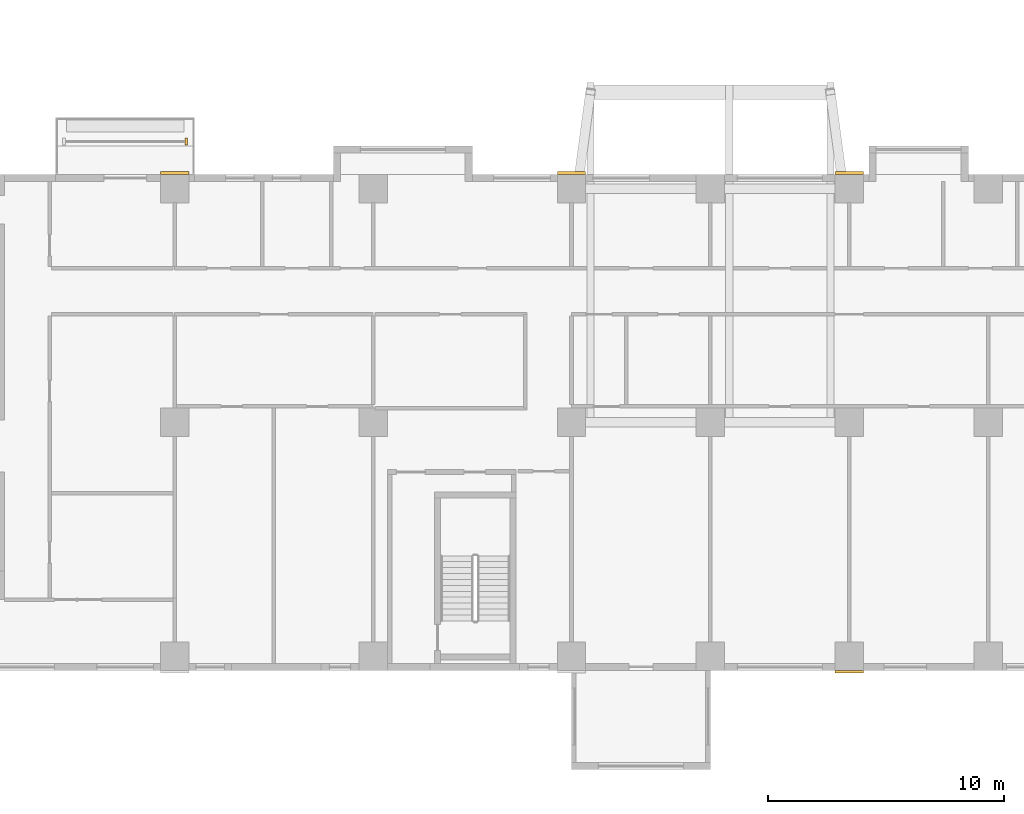
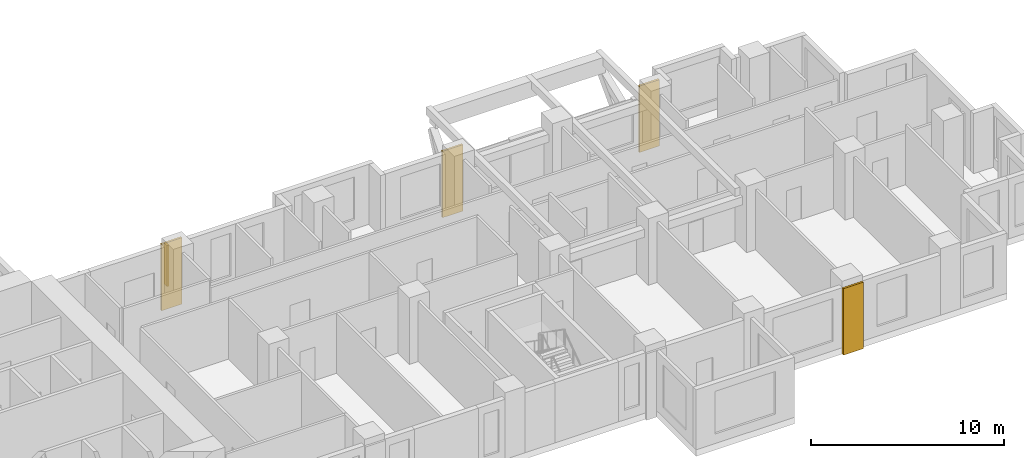
# One storey, part 13 of 14: 5 coverings.
"""IFC4 building model written with IfcOpenShell, lengths in metres."""

from ifc_helpers import new_model, si_unit, direction, frame, origin, origin_2d, place, context, subcontext, project, spatial, rectangle, extrude, source, transform, mapped, material, type_object, element, save


model = new_model("IFC4")

# Units and contexts
model_context = context("Model", 3, precision=1e-05, world=origin(), true_north=direction((0.0, 1.0)))
body_context = subcontext(model_context, "Body", "Model", "MODEL_VIEW")
ifc_project = project(units=[si_unit("LENGTHUNIT", "METRE"), si_unit("AREAUNIT", "SQUARE_METRE"), si_unit("VOLUMEUNIT", "CUBIC_METRE"), si_unit("PLANEANGLEUNIT", "RADIAN"), si_unit("MASSUNIT", "GRAM", prefix="KILO")], contexts=[model_context])

# Site, building, storey
site_placement = place(None, origin())
site = spatial("IfcSite", under=ifc_project, at=site_placement, CompositionType="ELEMENT")
building_placement = place(site_placement, origin())
building = spatial("IfcBuilding", under=site, at=building_placement, Name="Aurelian Terraces", CompositionType="ELEMENT")
storey_placement = place(building_placement, frame((0.0, 0.0, 44.7)))
storey = spatial("IfcBuildingStorey", under=building, at=storey_placement, Name="L08", CompositionType="ELEMENT", Elevation=44.7)

# Coverings
ifc_material = material(Name="Terracotta rainscreen cladding relief", Category="masonry")
covering_type_1 = type_object("IfcCoveringType", Name="BAGUETTE-TC", PredefinedType="CLADDING", material=ifc_material)
shared_shape_1 = source(origin(), body_context, "Body", "SweptSolid", [
    extrude(rectangle(XDim=1.2, YDim=0.12, at=origin_2d()), origin(), (0.0, 0.0, 1.0), 4.2),
])
for number, where, z_axis, x_axis, name in (
    (1, (57.96, -0.06, -0.4), (0.0, 0.0, 1.0), (1.0, 0.0, 0.0), "BAGUETTE pier L08 4"),
    (2, (29.4, 21.06, -0.4), (0.0, 0.0, 1.0), (1.0, 0.0, 0.0), "BAGUETTE pier L08 6"),
    (3, (46.2, 21.06, -0.4), (0.0, 0.0, 1.0), (1.0, 0.0, 0.0), "BAGUETTE pier L08 7"),
    (4, (57.96, 21.06, -0.4), (0.0, 0.0, 1.0), (1.0, 0.0, 0.0), "BAGUETTE pier L08 8"),
):
    element("IfcCovering", number, at=place(storey_placement, frame(where, z_axis=z_axis, x_axis=x_axis)), inside=storey, type_object=covering_type_1, Name=name, PredefinedType="CLADDING", context=body_context, shape_type="MappedRepresentation", body=[
        mapped(shared_shape_1, transform((0.0, 0.0, 0.0), scale=1.0)),
    ])
covering_type_2 = type_object("IfcCoveringType", Name="FIN-TC", PredefinedType="CLADDING", material=ifc_material)
shared_shape_2 = source(origin(), body_context, "Body", "SweptSolid", [
    extrude(rectangle(XDim=0.12, YDim=0.3, at=origin_2d()), origin(), (0.0, 0.0, 1.0), 2.6),
])
covering_placement = place(storey_placement, frame((29.89, 22.4, 0.0), z_axis=(0.0, 0.0, 1.0), x_axis=(1.0, 0.0, 0.0)))
element("IfcCovering", 5, at=covering_placement, inside=storey, type_object=covering_type_2, Name="FIN L08 L08-F07-26.1", PredefinedType="CLADDING", context=body_context, shape_type="MappedRepresentation", body=[
    mapped(shared_shape_2, transform((0.0, 0.0, 0.0), scale=1.0)),
])

save(model, "model.ifc")
